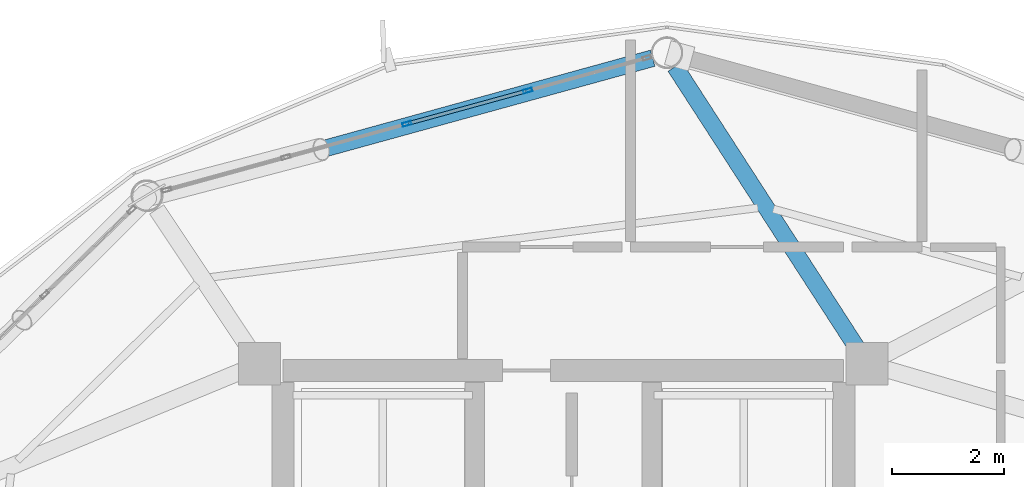
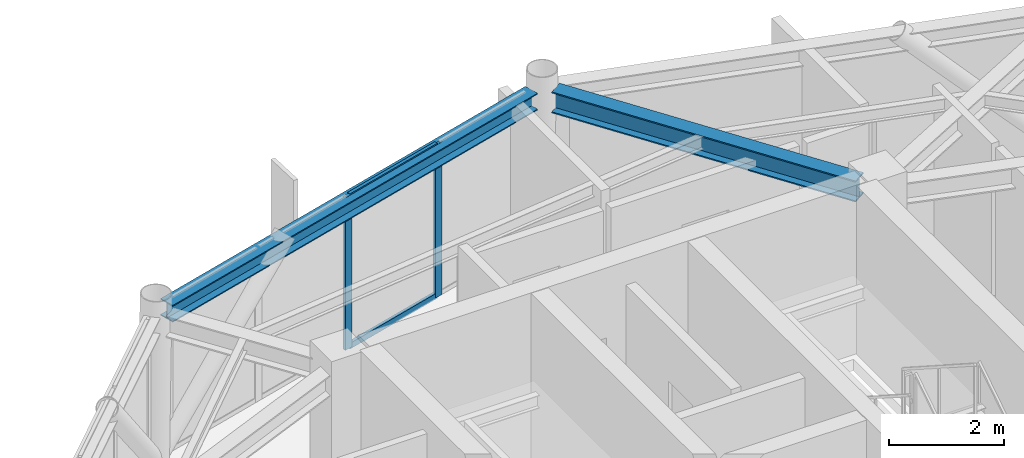
# One storey, part 19 of 28: 4 members, 2 beams, 1 element without a shape of its own.
"""IFC4 building model written with IfcOpenShell, lengths in metres."""

from ifc_helpers import new_model, si_unit, direction, frame, origin, origin_2d, place, context, subcontext, project, spatial, hollow_rectangle, i_section, extrude, material, layer, layer_set, material_profile, profile_set, type_object, element, aggregate, save


model = new_model("IFC4")

# Units and contexts
model_context = context("Model", 3, precision=1e-05, world=origin(), true_north=direction((0.0, 1.0)))
body_context = subcontext(model_context, "Body", "Model", "MODEL_VIEW")
ifc_project = project(units=[si_unit("LENGTHUNIT", "METRE"), si_unit("AREAUNIT", "SQUARE_METRE"), si_unit("VOLUMEUNIT", "CUBIC_METRE"), si_unit("PLANEANGLEUNIT", "RADIAN"), si_unit("MASSUNIT", "GRAM", prefix="KILO")], contexts=[model_context])

# Site, building, storey
site_placement = place(None, origin())
site = spatial("IfcSite", under=ifc_project, at=site_placement, CompositionType="ELEMENT")
building_placement = place(site_placement, origin())
building = spatial("IfcBuilding", under=site, at=building_placement, Name="Varnakorn Sky Granary", CompositionType="ELEMENT")
storey_placement = place(building_placement, frame((0.0, 0.0, 236.39990234375)))
storey = spatial("IfcBuildingStorey", under=building, at=storey_placement, Name="L60", CompositionType="ELEMENT", Elevation=236.39990234375)

# Beams
ifc_material_1 = material(Name="Steel S355JR", Category="steel")
ifc_material_profile_1 = material_profile(ifc_material_1, i_section(OverallWidth=0.300048828125, OverallDepth=0.449951171875, WebThickness=0.013916015625, FlangeThickness=0.02587890625, at=origin_2d()), Name="HE 450 B")
ifc_profile_set_1 = profile_set([ifc_material_profile_1], Name="Steel S355JR")
beam_type_1 = type_object("IfcBeamType", Name="BM-RAD-Z5", PredefinedType="BEAM", material=ifc_profile_set_1)
beam_1_placement = place(storey_placement, frame((8.227294921875, 12.918212890625, 3.025146484375), z_axis=(-0.54307445652, 0.83968454474, 0.0), x_axis=(-0.83968454474, -0.54307445652, 0.0)))
element("IfcBeam", 1, at=beam_1_placement, inside=storey, type_object=beam_type_1, Name="Radial Floor Girder RG04 L60", PredefinedType="BEAM", context=body_context, shape_type="SweptSolid", body=[
    extrude(i_section(OverallWidth=0.300048828125, OverallDepth=0.449951171875, WebThickness=0.013916015625, FlangeThickness=0.02587890625, at=origin_2d()), origin(), (0.0, 0.0, 1.0), 5.954345703125),
])
ifc_material_profile_2 = material_profile(ifc_material_1, i_section(OverallWidth=0.300048828125, OverallDepth=0.360107421875, WebThickness=0.012451171875, FlangeThickness=0.0224609375, at=origin_2d()), Name="HE 360 B")
ifc_profile_set_2 = profile_set([ifc_material_profile_2], Name="Steel S355JR")
beam_type_2 = type_object("IfcBeamType", Name="BM-SPD-Z5", PredefinedType="SPANDREL", material=ifc_profile_set_2)
beam_2_placement = place(storey_placement, frame((4.594970703125, 18.06982421875, 3.070068359375), z_axis=(-0.964098741197, -0.265544002423, 0.0), x_axis=(0.265544002423, -0.964098741197, 0.0)))
element("IfcBeam", 2, at=beam_2_placement, inside=storey, type_object=beam_type_2, Name="Perimeter Spandrel Ring Beam RB04 L60", PredefinedType="SPANDREL", context=body_context, shape_type="SweptSolid", body=[
    extrude(i_section(OverallWidth=0.300048828125, OverallDepth=0.360107421875, WebThickness=0.012451171875, FlangeThickness=0.0224609375, at=origin_2d()), origin(), (0.0, 0.0, 1.0), 9.0634765625),
])

# Curtain wall, members
ifc_material_2 = material(Name="Anodised Bronze Aluminium Alloy 6063-T6", Category="aluminium")
ifc_layer = layer(ifc_material_2, 0.159912109375, Name="Anodised Bronze Aluminium Alloy 6063-T6")
ifc_layer_set = layer_set([ifc_layer], Name="Anodised Bronze Aluminium Alloy 6063-T6")
curtain_wall_type = type_object("IfcCurtainWallType", Name="CW-OFF-1", PredefinedType="USERDEFINED", material=ifc_layer_set)
curtain_wall_placement = place(storey_placement, origin())
curtain_wall = element("IfcCurtainWall", 3, at=curtain_wall_placement, inside=storey, type_object=curtain_wall_type, Name="Unitised Curtain Wall CW6 CW-L60-B04", ObjectType="CURTAIN WALL", PredefinedType="USERDEFINED")
ifc_material_profile_3 = material_profile(ifc_material_2, hollow_rectangle(XDim=0.06494140625, YDim=0.159912109375, WallThickness=0.00341796875, at=origin_2d()), Name="ALU MULL 65x160")
ifc_profile_set_3 = profile_set([ifc_material_profile_3], Name="Anodised Bronze Aluminium Alloy 6063-T6")
member_type_1 = type_object("IfcMemberType", Name="CW-OFF-1-MULL", PredefinedType="MULLION", material=ifc_profile_set_3)
member_1_placement = place(storey_placement, frame((0.209228515625, 16.898193359375, 0.0), z_axis=(0.0, 0.0, 1.0), x_axis=(-0.265100109625, 0.964220893715, 0.0)))
member_1 = element("IfcMember", 4, at=member_1_placement, type_object=member_type_1, Name="CW6 mullion 3", PredefinedType="MULLION", context=body_context, shape_type="SweptSolid", body=[
    extrude(hollow_rectangle(XDim=0.06494140625, YDim=0.159912109375, WallThickness=0.00341796875, at=origin_2d()), origin(), (0.0, 0.0, 1.0), 3.25),
])
member_2_placement = place(storey_placement, frame((2.365966796875, 17.490966796875, 0.0), z_axis=(0.0, 0.0, 1.0), x_axis=(-0.265100109625, 0.964220893715, 0.0)))
member_2 = element("IfcMember", 5, at=member_2_placement, type_object=member_type_1, Name="CW6 mullion 4", PredefinedType="MULLION", context=body_context, shape_type="SweptSolid", body=[
    extrude(hollow_rectangle(XDim=0.06494140625, YDim=0.159912109375, WallThickness=0.00341796875, at=origin_2d()), origin(), (0.0, 0.0, 1.0), 3.25),
])
ifc_material_profile_4 = material_profile(ifc_material_2, hollow_rectangle(XDim=0.06494140625, YDim=0.1201171875, WallThickness=0.00341796875, at=origin_2d()), Name="ALU TRAN 65x120")
ifc_profile_set_4 = profile_set([ifc_material_profile_4], Name="Anodised Bronze Aluminium Alloy 6063-T6")
member_type_2 = type_object("IfcMemberType", Name="CW-OFF-1-TRAN", PredefinedType="USERDEFINED", material=ifc_profile_set_4)
member_3_placement = place(storey_placement, frame((0.240478515625, 16.90673828125, 0.03271484375), z_axis=(0.96422479097, 0.265085934139, 0.0), x_axis=(-0.265085934139, 0.96422479097, 0.0)))
member_3 = element("IfcMember", 6, at=member_3_placement, type_object=member_type_2, Name="CW6 transom 3.1", ObjectType="TRANSOM", PredefinedType="USERDEFINED", context=body_context, shape_type="SweptSolid", body=[
    extrude(hollow_rectangle(XDim=0.06494140625, YDim=0.1201171875, WallThickness=0.00341796875, at=origin_2d()), origin(), (0.0, 0.0, 1.0), 2.171630859375),
])
member_4_placement = place(storey_placement, frame((0.240478515625, 16.90673828125, 3.217529296875), z_axis=(0.96422479097, 0.265085934139, 0.0), x_axis=(-0.265085934139, 0.96422479097, 0.0)))
member_4 = element("IfcMember", 7, at=member_4_placement, type_object=member_type_2, Name="CW6 transom 3.2", ObjectType="TRANSOM", PredefinedType="USERDEFINED", context=body_context, shape_type="SweptSolid", body=[
    extrude(hollow_rectangle(XDim=0.06494140625, YDim=0.1201171875, WallThickness=0.00341796875, at=origin_2d()), origin(), (0.0, 0.0, 1.0), 2.171630859375),
])
aggregate(curtain_wall, [member_1, member_2, member_3, member_4])

save(model, "model.ifc")
